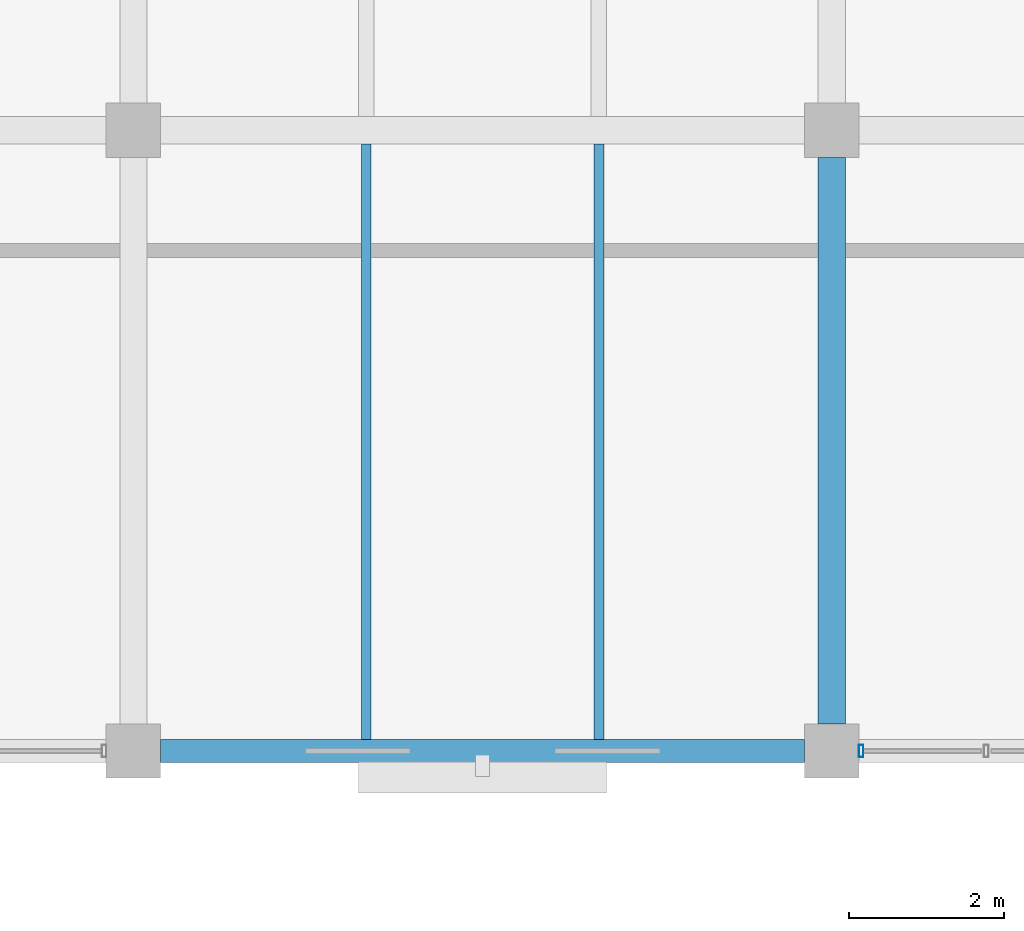
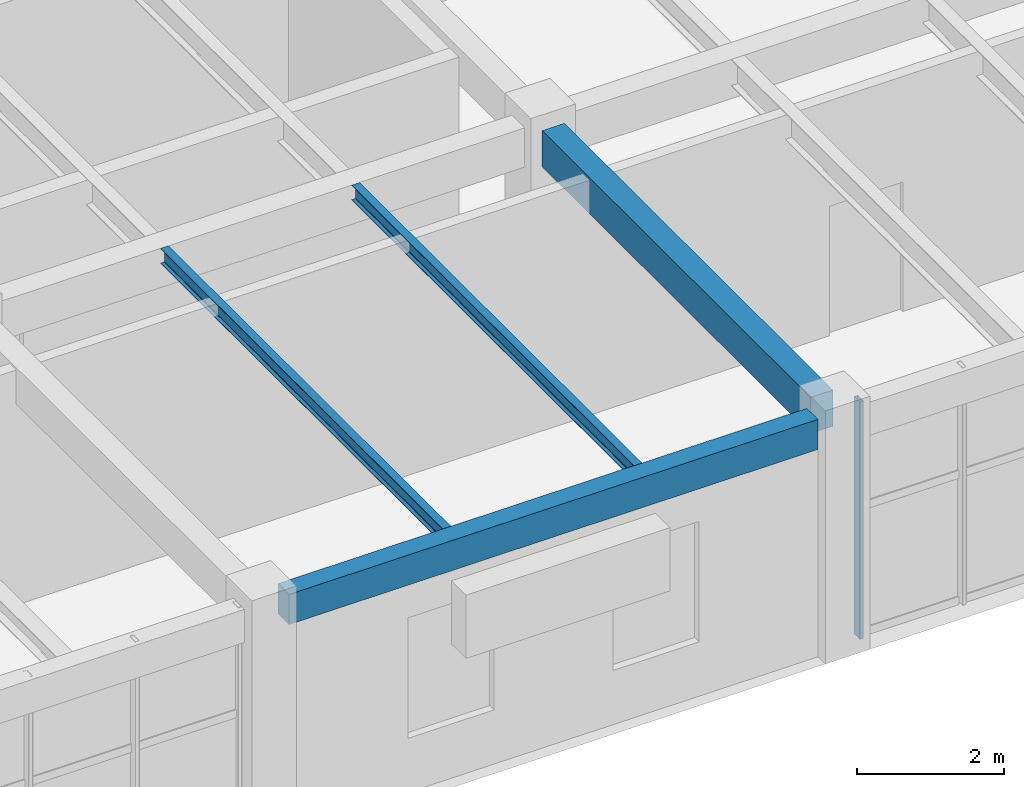
# One storey, part 61 of 128: 4 beams, 1 member, 1 element without a shape of its own.
"""IFC4 building model written with IfcOpenShell, lengths in metres."""

from ifc_helpers import new_model, si_unit, derived_unit, direction, frame, origin, origin_2d, place, context, subcontext, project, spatial, rectangle, hollow_rectangle, i_section, extrude, material, material_profile, profile_set, type_object, element, aggregate, save


model = new_model("IFC4")

# Units and contexts
model_context = context("Model", 3, precision=1e-05, world=origin(), true_north=direction((0.0, 1.0)))
body_context = subcontext(model_context, "Body", "Model", "MODEL_VIEW")
ifc_project = project(units=[si_unit("LENGTHUNIT", "METRE"), si_unit("AREAUNIT", "SQUARE_METRE"), si_unit("VOLUMEUNIT", "CUBIC_METRE"), si_unit("PLANEANGLEUNIT", "RADIAN"), si_unit("MASSUNIT", "GRAM", prefix="KILO"), derived_unit("THERMALTRANSMITTANCEUNIT", [(si_unit("MASSUNIT", "GRAM", prefix="KILO"), 1), (si_unit("TIMEUNIT", "SECOND"), -3), (si_unit("THERMODYNAMICTEMPERATUREUNIT", "KELVIN"), -1)])], contexts=[model_context])

# Site, building, storey
site_placement = place(None, origin())
site = spatial("IfcSite", under=ifc_project, at=site_placement, CompositionType="ELEMENT")
building_placement = place(site_placement, origin())
building = spatial("IfcBuilding", under=site, at=building_placement, Name="Zhenchuan Archway Interchange", CompositionType="ELEMENT")
storey_placement = place(building_placement, frame((0.0, 0.0, 14.39990234375)))
storey = spatial("IfcBuildingStorey", under=building, at=storey_placement, Name="L03", CompositionType="ELEMENT", Elevation=14.39990234375)

# Beam
ifc_material_1 = material(Name="Concrete C40", Category="concrete")
ifc_material_profile_1 = material_profile(ifc_material_1, rectangle(XDim=0.35009765625, YDim=0.60009765625, at=origin_2d()), Name="RC 350x600")
ifc_profile_set_1 = profile_set([ifc_material_profile_1], Name="Concrete C40")
beam_type_1 = type_object("IfcBeamType", Name="BM_RC_350x600", PredefinedType="BEAM", material=ifc_profile_set_1)
beam_1_placement = place(storey_placement, frame((126.0, 88.35009765625, 3.64013671875), z_axis=(0.0, 1.0, 0.0), x_axis=(-1.0, 0.0, 0.0)))
element("IfcBeam", 1, at=beam_1_placement, inside=storey, type_object=beam_type_1, Name="Beam 15:M-N (L03)", PredefinedType="BEAM", context=body_context, shape_type="SweptSolid", body=[
    extrude(rectangle(XDim=0.35009765625, YDim=0.60009765625, at=origin_2d()), origin(), (0.0, 0.0, 1.0), 7.2998046875),
])

# Curtain wall, member
ifc_material_2 = material(Name="Anodised Aluminium", Category="aluminium")
curtain_wall_type = type_object("IfcCurtainWallType", Name="CW_UNIT_1", PredefinedType="NOTDEFINED", material=ifc_material_2)
curtain_wall_placement = place(storey_placement, origin())
curtain_wall = element("IfcCurtainWall", 2, at=curtain_wall_placement, inside=storey, type_object=curtain_wall_type, Name="Unitised curtain wall CW:L03:172", PredefinedType="NOTDEFINED")
ifc_material_profile_2 = material_profile(ifc_material_2, hollow_rectangle(XDim=0.06005859375, YDim=0.159912109375, WallThickness=0.00390625, InnerFilletRadius=0.00390625, OuterFilletRadius=0.008056640625, at=origin_2d()), Name="ALU 160x60x4")
ifc_profile_set_2 = profile_set([ifc_material_profile_2], Name="Anodised Aluminium")
member_type = type_object("IfcMemberType", Name="CW_MUL_150", PredefinedType="MULLION", material=ifc_profile_set_2)
member_placement = place(storey_placement, frame((126.3779296875, 88.0, 0.0), z_axis=(0.0, 0.0, 1.0), x_axis=(1.0, 0.0, 0.0)))
member = element("IfcMember", 3, at=member_placement, type_object=member_type, Name="CW:L03:172 mullion 5", PredefinedType="MULLION", context=body_context, shape_type="SweptSolid", body=[
    extrude(hollow_rectangle(XDim=0.06005859375, YDim=0.159912109375, WallThickness=0.00390625, InnerFilletRadius=0.00390625, OuterFilletRadius=0.008056640625, at=origin_2d()), origin(), (0.0, 0.0, 1.0), 3.940185546875),
])
aggregate(curtain_wall, [member])

# Beams
ifc_material_3 = material(Name="Steel Q355", Category="steel")
ifc_material_profile_3 = material_profile(ifc_material_3, i_section(OverallWidth=0.125, OverallDepth=0.25, WebThickness=0.006103515625, FlangeThickness=0.009033203125, FilletRadius=0.011962890625, at=origin_2d()), Name="HN 250x125")
ifc_profile_set_3 = profile_set([ifc_material_profile_3], Name="Steel Q355")
beam_type_2 = type_object("IfcBeamType", Name="JST_STL_HN250", PredefinedType="JOIST", material=ifc_profile_set_3)
for number, where, z_axis, x_axis, name in (
    (4, (120.0, 88.14990234375, 3.815185546875), (0.0, 1.0, 0.0), (-1.0, 0.0, 0.0), "Secondary joist 14-15/M-N #1 (L03)"),
    (5, (123.0, 88.14990234375, 3.815185546875), (0.0, 1.0, 0.0), (-1.0, 0.0, 0.0), "Secondary joist 14-15/M-N #2 (L03)"),
):
    element("IfcBeam", number, at=place(storey_placement, frame(where, z_axis=z_axis, x_axis=x_axis)), inside=storey, type_object=beam_type_2, Name=name, PredefinedType="JOIST", context=body_context, shape_type="SweptSolid", body=[
        extrude(i_section(OverallWidth=0.125, OverallDepth=0.25, WebThickness=0.006103515625, FlangeThickness=0.009033203125, FilletRadius=0.011962890625, at=origin_2d()), origin(), (0.0, 0.0, 1.0), 7.675048828125),
    ])
ifc_material_profile_4 = material_profile(ifc_material_1, rectangle(XDim=0.300048828125, YDim=0.5, at=origin_2d()), Name="RC 300x500")
ifc_profile_set_4 = profile_set([ifc_material_profile_4], Name="Concrete C40")
beam_type_3 = type_object("IfcBeamType", Name="SP_RC_300x500", PredefinedType="SPANDREL", material=ifc_profile_set_4)
beam_2_placement = place(storey_placement, frame((117.35009765625, 88.0, 3.690185546875), z_axis=(1.0, 0.0, 0.0), x_axis=(0.0, 1.0, 0.0)))
element("IfcBeam", 6, at=beam_2_placement, inside=storey, type_object=beam_type_3, Name="Beam M:14-15 (L03)", PredefinedType="SPANDREL", context=body_context, shape_type="SweptSolid", body=[
    extrude(rectangle(XDim=0.300048828125, YDim=0.5, at=origin_2d()), origin(), (0.0, 0.0, 1.0), 8.2998046875),
])

save(model, "model.ifc")
